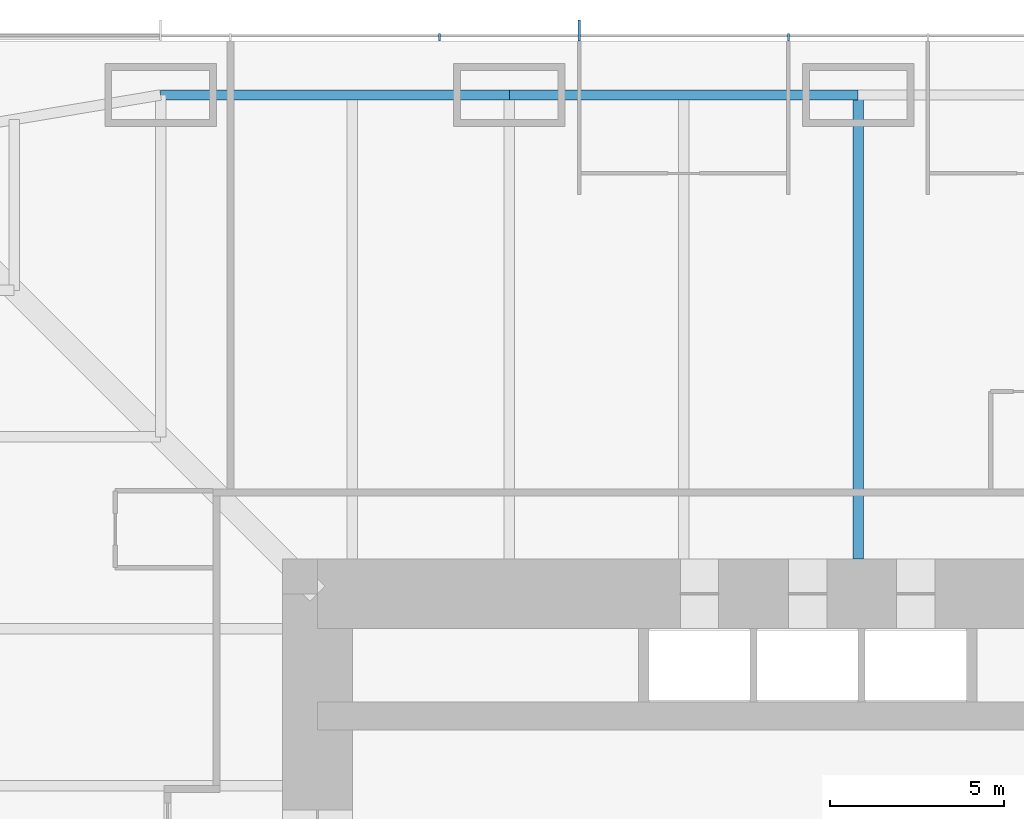
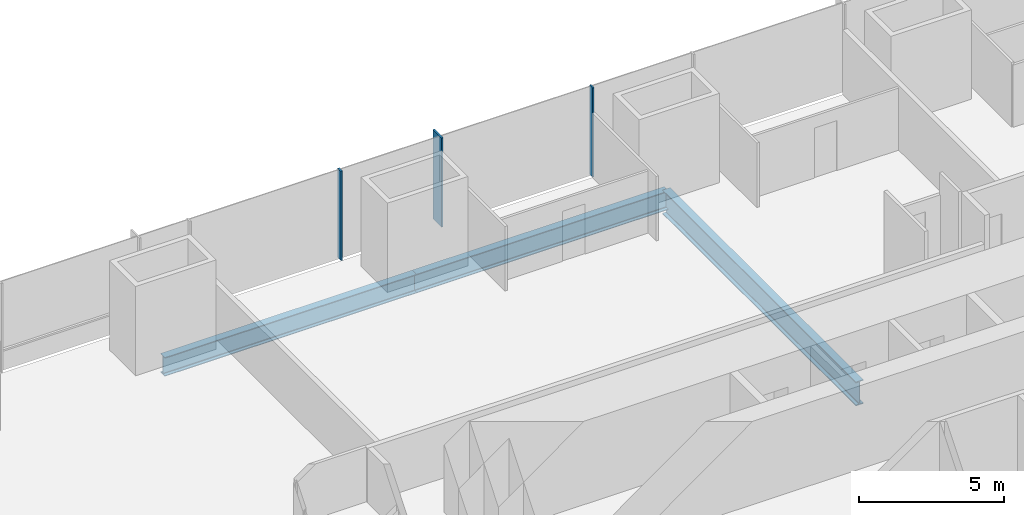
# One storey, part 7 of 16: 3 beams, 3 members, 1 element without a shape of its own.
"""IFC4 building model written with IfcOpenShell, lengths in metres."""

import ifcopenshell
import ifcopenshell.guid

model = None  # the IFC model being written
_history = None  # IfcOwnerHistory: only IFC2X3 demands one
_inside = {}  # id of a spatial element -> (the spatial element, [elements in it])
_under = {}  # id of a project, library or spatial element -> (it, [spatial elements below it])
_declared = {}  # id of a project -> (the project, [libraries it declares])
_typed = {}  # id of a type object -> (the type object, [elements of that type])
_made_of = {}  # id of a material, layer set ... -> (it, [elements and type objects made of it])


def new_model(schema):
    """Start an empty IFC model of exactly this schema.

    Asked for "IFC4X3", IfcOpenShell would pick the latest addendum, in which some entities
    have other attributes; the version numbers below select the first issue.
    IFC2X3 requires an IfcOwnerHistory on every rooted entity: one is made here for all.
    """
    global model, _history
    if schema == "IFC4X3":
        model = ifcopenshell.file(schema_version=(4, 3, 0, 0))
    else:
        model = ifcopenshell.file(schema=schema)
    _inside.clear()
    _under.clear()
    _declared.clear()
    _typed.clear()
    _made_of.clear()
    _history = None
    if model.schema == "IFC2X3":
        org = make("IfcOrganization", Name="unknown")
        user = make(
            "IfcPersonAndOrganization",
            ThePerson=make("IfcPerson", FamilyName="unknown"),
            TheOrganization=org,
        )
        app = make(
            "IfcApplication",
            ApplicationDeveloper=org,
            Version="unknown",
            ApplicationFullName="unknown",
            ApplicationIdentifier="unknown",
        )
        _history = make(
            "IfcOwnerHistory",
            OwningUser=user,
            OwningApplication=app,
            ChangeAction="ADDED",
            CreationDate=0,
        )
    return model


def make(cls, **values):
    """One entity of the class cls with the attributes given. An attribute that is None is left unset."""
    return model.create_entity(
        cls, **{name: value for name, value in values.items() if value is not None}
    )


def rooted(cls, **values):
    """An entity with a GlobalId (a new one), such as an element, a storey or a relation."""
    return make(cls, GlobalId=ifcopenshell.guid.new(), OwnerHistory=_history, **values)


def si_unit(unit_type, name, prefix=None):
    """IfcSIUnit, for example si_unit("LENGTHUNIT", "METRE", prefix="MILLI")."""
    return make("IfcSIUnit", UnitType=unit_type, Prefix=prefix, Name=name)


def assignment(units):
    """IfcUnitAssignment: the units of a project."""
    return None if units is None else make("IfcUnitAssignment", Units=units)


def point(xyz):
    """IfcCartesianPoint."""
    return None if xyz is None else make("IfcCartesianPoint", Coordinates=xyz)


def direction(xyz):
    """IfcDirection."""
    return None if xyz is None else make("IfcDirection", DirectionRatios=xyz)


def frame(location, z_axis=None, x_axis=None):
    """IfcAxis2Placement3D, a coordinate frame: its origin and axes. An axis left out is left unset."""
    return make(
        "IfcAxis2Placement3D",
        Location=point(location),
        Axis=direction(z_axis),
        RefDirection=direction(x_axis),
    )


def frame_2d(location, x_axis=None):
    """IfcAxis2Placement2D, a coordinate frame in the plane: its origin and x axis."""
    return make(
        "IfcAxis2Placement2D", Location=point(location), RefDirection=direction(x_axis)
    )


def origin():
    """The frame at (0, 0, 0) with its axes left unset."""
    return frame((0.0, 0.0, 0.0))


def origin_2d():
    """The frame at (0, 0) in the plane with its x axis left unset."""
    return frame_2d((0.0, 0.0))


def place(relative_to, where):
    """IfcLocalPlacement: puts the frame where relative to a parent placement (None: the world)."""
    return make(
        "IfcLocalPlacement", PlacementRelTo=relative_to, RelativePlacement=where
    )


def context(
    kind, dimensions, precision=None, world=None, true_north=None, identifier=None
):
    """IfcGeometricRepresentationContext, for example the 3D "Model" context."""
    return make(
        "IfcGeometricRepresentationContext",
        ContextIdentifier=identifier,
        ContextType=kind,
        CoordinateSpaceDimension=dimensions,
        Precision=precision,
        WorldCoordinateSystem=world,
        TrueNorth=true_north,
    )


def subcontext(parent, identifier, kind, view, scale=None):
    """IfcGeometricRepresentationSubContext, for example "Body" below "Model"."""
    return make(
        "IfcGeometricRepresentationSubContext",
        ContextIdentifier=identifier,
        ContextType=kind,
        ParentContext=parent,
        TargetScale=scale,
        TargetView=view,
    )


def project(units=None, contexts=None):
    """IfcProject with its units and contexts."""
    return rooted(
        "IfcProject",
        Name="project",
        RepresentationContexts=contexts,
        UnitsInContext=assignment(units),
    )


def spatial(cls, under=None, at=None, **own):
    """A site, building, storey or space (cls), placed at a placement, below another one or the project."""
    s = rooted(cls, ObjectPlacement=at, **own)
    if under is not None:
        _under.setdefault(under.id(), (under, []))[1].append(s)
    return s


def profile(cls, at=None, kind="AREA", **sizes):
    """A parametric profile (cls). Its sizes go by their IFC names, for example OverallWidth=200.0."""
    return make(cls, ProfileType=kind, Position=at, **sizes)


def rectangle(**sizes):
    """IfcRectangleProfileDef."""
    return profile("IfcRectangleProfileDef", **sizes)


def i_section(**sizes):
    """IfcIShapeProfileDef."""
    return profile("IfcIShapeProfileDef", **sizes)


def extrude(swept, where, along, depth):
    """IfcExtrudedAreaSolid: the profile swept, set in the frame where, extruded along a direction by depth."""
    return make(
        "IfcExtrudedAreaSolid",
        SweptArea=swept,
        Position=where,
        ExtrudedDirection=direction(along),
        Depth=depth,
    )


def shape(context_of_items, identifier, shape_type, items):
    """IfcShapeRepresentation: the items that make up one representation, for example the "Body"."""
    return make(
        "IfcShapeRepresentation",
        ContextOfItems=context_of_items,
        RepresentationIdentifier=identifier,
        RepresentationType=shape_type,
        Items=items,
    )


def material(Name=None, Category=None):
    """IfcMaterial."""
    return make("IfcMaterial", Name=Name, Category=Category)


def material_profile(
    of_material, cross_section, Name=None, Category=None, Priority=None
):
    """IfcMaterialProfile: a cross section and its material."""
    return make(
        "IfcMaterialProfile",
        Name=Name,
        Material=of_material,
        Profile=cross_section,
        Priority=Priority,
        Category=Category,
    )


def profile_set(profiles, Name=None, composite=None):
    """IfcMaterialProfileSet."""
    return make(
        "IfcMaterialProfileSet",
        Name=Name,
        MaterialProfiles=profiles,
        CompositeProfile=composite,
    )


def made_of(thing, what):
    """Note that an element or type object is made of a material, layer set ...; save() writes the relation."""
    if what is not None:
        _made_of.setdefault(what.id(), (what, []))[1].append(thing)
    return thing


def type_object(cls, material=None, **own):
    """A type object (cls), such as IfcWallType, which elements share."""
    return made_of(rooted(cls, **own), material)


def element(
    cls,
    number,
    at=None,
    inside=None,
    cuts=None,
    type_object=None,
    material=None,
    context=None,
    identifier="Body",
    shape_type=None,
    held_by="IfcProductDefinitionShape",
    body=None,
    shapes=None,
    **own,
):
    """One element of the class cls, such as IfcWall. Its Tag is "e" and its number.

    at: its placement. inside: the storey or other place that contains it. cuts: it is an
    opening in that element (IfcRelVoidsElement). A single representation is given by context,
    identifier, shape_type and body (its items); several are given by shapes. held_by: the class
    of the entity that holds the representations. save() writes the other relations.
    """
    e = rooted(cls, Tag="e%d" % number, ObjectPlacement=at, **own)
    if body is not None:
        shapes = [shape(context, identifier, shape_type, body)]
    if shapes is not None:
        e.Representation = make(held_by, Representations=shapes)
    if inside is not None:
        _inside.setdefault(inside.id(), (inside, []))[1].append(e)
    if cuts is not None:
        rooted(
            "IfcRelVoidsElement", RelatingBuildingElement=cuts, RelatedOpeningElement=e
        )
    if type_object is not None:
        _typed.setdefault(type_object.id(), (type_object, []))[1].append(e)
    return made_of(e, material)


def aggregate(whole, parts):
    """IfcRelAggregates: a whole, such as a stair, and the parts it consists of."""
    return rooted("IfcRelAggregates", RelatingObject=whole, RelatedObjects=parts)


def save(model, path):
    """Write the relations noted so far, then the file.

    IfcRelAggregates (storeys below a building ...), IfcRelContainedInSpatialStructure (elements
    in a storey), IfcRelDefinesByType, IfcRelAssociatesMaterial and IfcRelDeclares: one each for
    every whole, place, type object, material and project.
    """
    for whole, parts in _under.values():
        aggregate(whole, parts)
    for where, things in _inside.values():
        rooted(
            "IfcRelContainedInSpatialStructure",
            RelatedElements=things,
            RelatingStructure=where,
        )
    for kind, things in _typed.values():
        rooted("IfcRelDefinesByType", RelatedObjects=things, RelatingType=kind)
    for what, things in _made_of.values():
        rooted("IfcRelAssociatesMaterial", RelatedObjects=things, RelatingMaterial=what)
    for by, libraries in _declared.values():
        rooted("IfcRelDeclares", RelatingContext=by, RelatedDefinitions=libraries)
    model.write(path)


model = new_model("IFC4")

# Units and contexts
model_context = context("Model", 3, precision=1e-05, world=origin(), true_north=direction((0.0, 1.0)))
body_context = subcontext(model_context, "Body", "Model", "MODEL_VIEW")
ifc_project = project(units=[si_unit("LENGTHUNIT", "METRE"), si_unit("AREAUNIT", "SQUARE_METRE"), si_unit("VOLUMEUNIT", "CUBIC_METRE"), si_unit("PLANEANGLEUNIT", "RADIAN"), si_unit("MASSUNIT", "GRAM", prefix="KILO")], contexts=[model_context])

# Site, building, storey
site_placement = place(None, origin())
site = spatial("IfcSite", under=ifc_project, at=site_placement, CompositionType="ELEMENT")
building_placement = place(site_placement, origin())
building = spatial("IfcBuilding", under=site, at=building_placement, Name="Khuree Lantern Residences", CompositionType="ELEMENT")
storey_placement = place(building_placement, frame((0.0, 0.0, 62.25)))
storey = spatial("IfcBuildingStorey", under=building, at=storey_placement, Name="L15", CompositionType="ELEMENT", Elevation=62.25)

# Beams
ifc_material_1 = material(Name="Steel S355", Category="steel")
ifc_material_profile_1 = material_profile(ifc_material_1, i_section(OverallWidth=0.300048828125, OverallDepth=0.7900390625, WebThickness=0.014892578125, FlangeThickness=0.028076171875, FilletRadius=0.030029296875, at=origin_2d()), Name="HE 800 A")
ifc_profile_set_1 = profile_set([ifc_material_profile_1], Name="Steel S355")
beam_type_1 = type_object("IfcBeamType", Name="E-13 SPANDREL BEAM HE 800 A", PredefinedType="SPANDREL", material=ifc_profile_set_1)
for number, where, z_axis, x_axis, name in (
    (1, (-20.0, 29.800048828125, -0.64501953125), (1.0, 0.0, 0.0), (0.0, 1.0, 0.0), "Spandrel beam N1"),
    (2, (-10.0, 29.800048828125, -0.64501953125), (1.0, 0.0, 0.0), (0.0, 1.0, 0.0), "Spandrel beam N2"),
):
    element("IfcBeam", number, at=place(storey_placement, frame(where, z_axis=z_axis, x_axis=x_axis)), inside=storey, type_object=beam_type_1, Name=name, PredefinedType="SPANDREL", context=body_context, shape_type="SweptSolid", body=[
        extrude(i_section(OverallWidth=0.300048828125, OverallDepth=0.7900390625, WebThickness=0.014892578125, FlangeThickness=0.028076171875, FilletRadius=0.030029296875, at=origin_2d()), origin(), (0.0, 0.0, 1.0), 10.0),
    ])

# Curtain wall, member
ifc_material_2 = material(Name="Bronze anodised aluminium", Category="aluminium")
curtain_wall_type = type_object("IfcCurtainWallType", Name="CW-T1 TOWER FACE CURTAIN WALL", PredefinedType="USERDEFINED", material=ifc_material_2)
curtain_wall_placement = place(storey_placement, origin())
curtain_wall = element("IfcCurtainWall", 3, at=curtain_wall_placement, inside=storey, type_object=curtain_wall_type, Name="L15 NORTH FACE CURTAIN WALL", ObjectType="Stick-built curtain wall", PredefinedType="USERDEFINED")
ifc_material_profile_2 = material_profile(ifc_material_2, rectangle(XDim=0.06494140625, YDim=0.60009765625, at=origin_2d()), Name="F1 65X600")
ifc_profile_set_2 = profile_set([ifc_material_profile_2], Name="Bronze anodised aluminium")
member_type_1 = type_object("IfcMemberType", Name="F1 BRONZE FIN MULLION TOWER 65X600", PredefinedType="MULLION", material=ifc_profile_set_2)
member_1_placement = place(storey_placement, frame((-8.0, 31.64990234375, 0.0), z_axis=(0.0, 0.0, 1.0), x_axis=(-1.0, 0.0, 0.0)))
member_1 = element("IfcMember", 4, at=member_1_placement, type_object=member_type_1, Name="L15 NORTH FACE FIN MULLION 25", PredefinedType="MULLION", context=body_context, shape_type="SweptSolid", body=[
    extrude(rectangle(XDim=0.06494140625, YDim=0.60009765625, at=origin_2d()), origin(), (0.0, 0.0, 1.0), 3.75),
])

# Beam
ifc_material_profile_3 = material_profile(ifc_material_1, i_section(OverallWidth=0.302001953125, OverallDepth=1.008056640625, WebThickness=0.02099609375, FlangeThickness=0.0400390625, FilletRadius=0.030029296875, at=origin_2d()), Name="HE 1000 M")
ifc_profile_set_3 = profile_set([ifc_material_profile_3], Name="Steel S355")
beam_type_2 = type_object("IfcBeamType", Name="G-13 GIRDER HE 1000 M", PredefinedType="BEAM", material=ifc_profile_set_3)
beam_placement = place(storey_placement, frame((0.0, 29.800048828125, -0.75390625), z_axis=(0.0, -1.0, 0.0), x_axis=(1.0, 0.0, 0.0)))
element("IfcBeam", 5, at=beam_placement, inside=storey, type_object=beam_type_2, Name="Girder N3", PredefinedType="BEAM", context=body_context, shape_type="SweptSolid", body=[
    extrude(i_section(OverallWidth=0.302001953125, OverallDepth=1.008056640625, WebThickness=0.02099609375, FlangeThickness=0.0400390625, FilletRadius=0.030029296875, at=origin_2d()), origin(), (0.0, 0.0, 1.0), 13.300048828125),
])

# Member
ifc_material_profile_4 = material_profile(ifc_material_2, rectangle(XDim=0.06494140625, YDim=0.219970703125, at=origin_2d()), Name="M1 65X220")
ifc_profile_set_4 = profile_set([ifc_material_profile_4], Name="Bronze anodised aluminium")
member_type_2 = type_object("IfcMemberType", Name="M1 BRONZE MULLION TOWER 65X220", PredefinedType="MULLION", material=ifc_profile_set_4)
member_2_placement = place(storey_placement, frame((-2.0, 31.4599609375, 0.0), z_axis=(0.0, 0.0, 1.0), x_axis=(-1.0, 0.0, 0.0)))
member_2 = element("IfcMember", 6, at=member_2_placement, type_object=member_type_2, Name="L15 NORTH FACE MULLION 24", PredefinedType="MULLION", context=body_context, shape_type="SweptSolid", body=[
    extrude(rectangle(XDim=0.06494140625, YDim=0.219970703125, at=origin_2d()), origin(), (0.0, 0.0, 1.0), 3.75),
])

member_3_placement = place(storey_placement, frame((-12.0, 31.4599609375, 0.0), z_axis=(0.0, 0.0, 1.0), x_axis=(-1.0, 0.0, 0.0)))
member_3 = element("IfcMember", 7, at=member_3_placement, type_object=member_type_2, Name="L15 NORTH FACE MULLION 26", PredefinedType="MULLION", context=body_context, shape_type="SweptSolid", body=[
    extrude(rectangle(XDim=0.06494140625, YDim=0.219970703125, at=origin_2d()), origin(), (0.0, 0.0, 1.0), 3.75),
])

aggregate(curtain_wall, [member_2, member_1, member_3])

save(model, "model.ifc")
